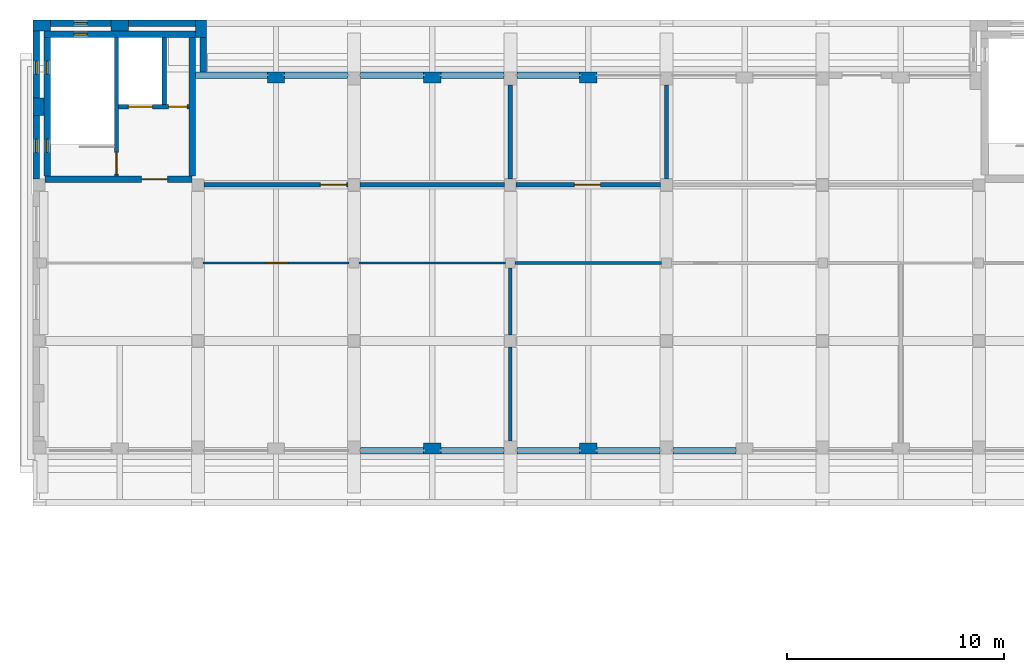
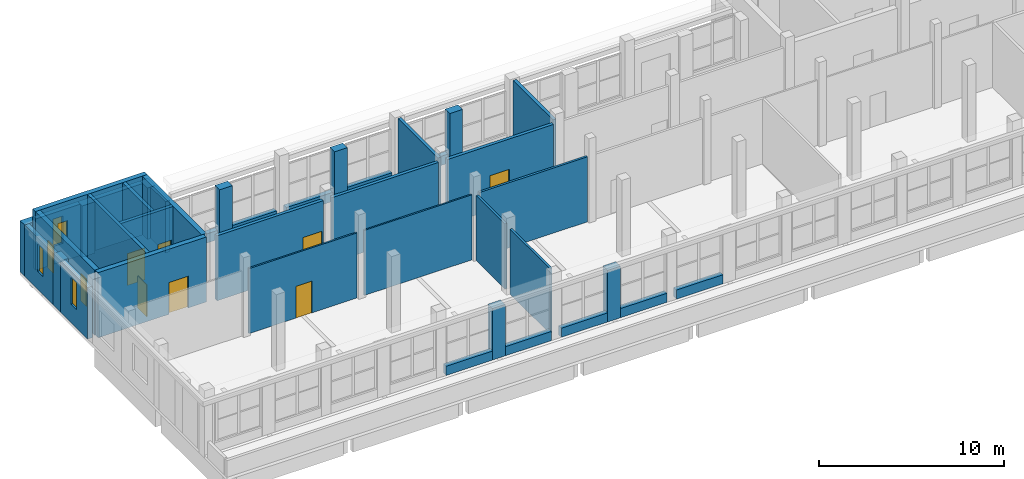
# One storey, part 17 of 30: 41 walls, 7 doors, 6 windows, 13 openings.
"""IFC4 building model written with IfcOpenShell, lengths in metres."""

from ifc_helpers import new_model, si_unit, direction, frame, frame_2d, origin, place, context, subcontext, project, spatial, rectangle, extrude, material, layer, layer_set, type_object, element, fill, save


model = new_model("IFC4")

# Units and contexts
model_context = context("Model", 3, precision=1e-05, world=origin(), true_north=direction((0.0, 1.0)))
body_context = subcontext(model_context, "Body", "Model", "MODEL_VIEW")
ifc_project = project(units=[si_unit("LENGTHUNIT", "METRE"), si_unit("AREAUNIT", "SQUARE_METRE"), si_unit("VOLUMEUNIT", "CUBIC_METRE"), si_unit("PLANEANGLEUNIT", "RADIAN"), si_unit("MASSUNIT", "GRAM", prefix="KILO")], contexts=[model_context])

# Site, building, storey
site_placement = place(None, origin())
site = spatial("IfcSite", under=ifc_project, at=site_placement, CompositionType="ELEMENT")
building_placement = place(site_placement, origin())
building = spatial("IfcBuilding", under=site, at=building_placement, Name="Ussher Court Research Institute", CompositionType="ELEMENT")
storey_placement = place(building_placement, frame((0.0, 0.0, 27.89990234375)))
storey = spatial("IfcBuildingStorey", under=building, at=storey_placement, Name="L06", CompositionType="ELEMENT", Elevation=27.89990234375)

# Walls
ifc_material_1 = material(Name="Blockwork with cream render", Category="masonry")
ifc_layer_1 = layer(ifc_material_1, 0.300048828125)
ifc_layer_set_1 = layer_set([ifc_layer_1], Name="Blockwork with cream render")
wall_type_1 = type_object("IfcWallType", Name="External wall 300 cream render", PredefinedType="SOLIDWALL", material=ifc_layer_set_1)
for number, where, z_axis, x_axis, name in (
    (1, (35.0, 70.949951171875, 0.0), (0.0, 0.0, 1.0), (-1.0, 0.0, 0.0), "Plinth wall EW1 L06"),
    (2, (31.5, 70.949951171875, 0.0), (0.0, 0.0, 1.0), (-1.0, 0.0, 0.0), "Plinth wall EW1 L06"),
):
    element("IfcWall", number, at=place(storey_placement, frame(where, z_axis=z_axis, x_axis=x_axis)), inside=storey, type_object=wall_type_1, Name=name, PredefinedType="SOLIDWALL", context=body_context, shape_type="SweptSolid", body=[
        extrude(rectangle(XDim=2.89990234375, YDim=0.300048828125, at=frame_2d((1.449951171875, 0.0))), origin(), (0.0, 0.0, 1.0), 0.60009765625),
    ])
for number, where, z_axis, x_axis, name in (
    (3, (27.800048828125, 70.949951171875, 0.0), (0.0, 0.0, 1.0), (-1.0, 0.0, 0.0), "Plinth wall EW1 L06"),
    (4, (24.300048828125, 70.949951171875, 0.0), (0.0, 0.0, 1.0), (-1.0, 0.0, 0.0), "Plinth wall EW1 L06"),
    (5, (20.60009765625, 70.949951171875, 0.0), (0.0, 0.0, 1.0), (-1.0, 0.0, 0.0), "Plinth wall EW1 L06"),
):
    element("IfcWall", number, at=place(storey_placement, frame(where, z_axis=z_axis, x_axis=x_axis)), inside=storey, type_object=wall_type_1, Name=name, PredefinedType="SOLIDWALL", context=body_context, shape_type="SweptSolid", body=[
        extrude(rectangle(XDim=2.900146484375, YDim=0.300048828125, at=frame_2d((1.4501953125, 0.0))), origin(), (0.0, 0.0, 1.0), 0.60009765625),
    ])
wall_1_placement = place(storey_placement, frame((10.10009765625, 88.25, 0.0), z_axis=(0.0, 0.0, 1.0), x_axis=(1.0, 0.0, 0.0)))
element("IfcWall", 6, at=wall_1_placement, inside=storey, type_object=wall_type_1, Name="Plinth wall EW1 L06", PredefinedType="SOLIDWALL", context=body_context, shape_type="SweptSolid", body=[
    extrude(rectangle(XDim=3.2998046875, YDim=0.300048828125, at=frame_2d((1.64990234375, 0.0))), origin(), (0.0, 0.0, 1.0), 0.60009765625),
])
for number, where, z_axis, x_axis, name in (
    (7, (14.199951171875, 88.25, 0.0), (0.0, 0.0, 1.0), (1.0, 0.0, 0.0), "Plinth wall EW1 L06"),
    (8, (17.699951171875, 88.25, 0.0), (0.0, 0.0, 1.0), (1.0, 0.0, 0.0), "Plinth wall EW1 L06"),
    (9, (21.39990234375, 88.25, 0.0), (0.0, 0.0, 1.0), (1.0, 0.0, 0.0), "Plinth wall EW1 L06"),
    (10, (24.89990234375, 88.25, 0.0), (0.0, 0.0, 1.0), (1.0, 0.0, 0.0), "Plinth wall EW1 L06"),
):
    element("IfcWall", number, at=place(storey_placement, frame(where, z_axis=z_axis, x_axis=x_axis)), inside=storey, type_object=wall_type_1, Name=name, PredefinedType="SOLIDWALL", context=body_context, shape_type="SweptSolid", body=[
        extrude(rectangle(XDim=2.900146484375, YDim=0.300048828125, at=frame_2d((1.4501953125, 0.0))), origin(), (0.0, 0.0, 1.0), 0.60009765625),
    ])

# Wall, opening, window
ifc_material_2 = material(Name="Limestone facing on blockwork", Category="masonry")
ifc_layer_2 = layer(ifc_material_2, 0.300048828125)
ifc_layer_set_2 = layer_set([ifc_layer_2], Name="Limestone facing on blockwork")
wall_type_2 = type_object("IfcWallType", Name="External wall 300 stair enclosure", PredefinedType="SOLIDWALL", material=ifc_layer_set_2)
wall_2_placement = place(storey_placement, frame((2.75, 83.47509765625, 0.0), z_axis=(0.0, 0.0, 1.0), x_axis=(0.0, 1.0, 0.0)))
wall_2 = element("IfcWall", 11, at=wall_2_placement, inside=storey, type_object=wall_type_2, Name="External wall EW5 L06", PredefinedType="SOLIDWALL", context=body_context, shape_type="SweptSolid", body=[
    extrude(rectangle(XDim=2.9248046875, YDim=0.300048828125, at=frame_2d((1.46240234375, 0.0))), origin(), (0.0, 0.0, 1.0), 3.400146484375),
])
opening_1_placement = place(wall_2_placement, frame((1.22509765625, 0.0, 1.199951171875)))
opening_1 = element("IfcOpeningElement", 12, at=opening_1_placement, cuts=wall_2, Name="Opening W25", PredefinedType="OPENING", context=body_context, shape_type="SweptSolid", body=[
    extrude(rectangle(XDim=0.60009765625, YDim=1.800048828125, at=frame_2d((0.300048828125, 0.89990234375))), frame((0.0, 0.16015625, 0.0), z_axis=(0.0, -1.0, 0.0), x_axis=(1.0, 0.0, 0.0)), (0.0, 0.0, 1.0), 0.320068359375),
])
ifc_material_3 = material(Name="Bronze anodised aluminium with double glazing", Category="aluminium")
window_type = type_object("IfcWindowType", Name="Stair light slot window 600x1800 fire-resisting glazing", PartitioningType="SINGLE_PANEL", PredefinedType="WINDOW", material=ifc_material_3)
window_1_placement = place(opening_1_placement, origin())
window_1 = element("IfcWindow", 13, at=window_1_placement, inside=storey, type_object=window_type, Name="Window W25 L06", OverallHeight=1.800048828125, OverallWidth=0.60009765625, PartitioningType="SINGLE_PANEL", PredefinedType="WINDOW", context=body_context, shape_type="SweptSolid", body=[
    extrude(rectangle(XDim=0.60009765625, YDim=1.800048828125, at=frame_2d((0.300048828125, 0.89990234375))), frame((0.0, 0.030029296875, 0.0), z_axis=(0.0, -1.0, 0.0), x_axis=(1.0, 0.0, 0.0)), (0.0, 0.0, 1.0), 0.06005859375),
])
fill(opening_1, window_1)

wall_3_placement = place(storey_placement, frame((2.75, 87.199951171875, 0.0), z_axis=(0.0, 0.0, 1.0), x_axis=(0.0, 1.0, 0.0)))
wall_3 = element("IfcWall", 14, at=wall_3_placement, inside=storey, type_object=wall_type_2, Name="External wall EW5 L06", PredefinedType="SOLIDWALL", context=body_context, shape_type="SweptSolid", body=[
    extrude(rectangle(XDim=3.10009765625, YDim=0.300048828125, at=frame_2d((1.550048828125, 0.0))), origin(), (0.0, 0.0, 1.0), 3.400146484375),
])
opening_2_placement = place(wall_3_placement, frame((1.10009765625, 0.0, 1.199951171875)))
opening_2 = element("IfcOpeningElement", 15, at=opening_2_placement, cuts=wall_3, Name="Opening W25", PredefinedType="OPENING", context=body_context, shape_type="SweptSolid", body=[
    extrude(rectangle(XDim=0.60009765625, YDim=1.800048828125, at=frame_2d((0.300048828125, 0.89990234375))), frame((0.0, 0.16015625, 0.0), z_axis=(0.0, -1.0, 0.0), x_axis=(1.0, 0.0, 0.0)), (0.0, 0.0, 1.0), 0.320068359375),
])
window_2_placement = place(opening_2_placement, origin())
window_2 = element("IfcWindow", 16, at=window_2_placement, inside=storey, type_object=window_type, Name="Window W25 L06", OverallHeight=1.800048828125, OverallWidth=0.60009765625, PartitioningType="SINGLE_PANEL", PredefinedType="WINDOW", context=body_context, shape_type="SweptSolid", body=[
    extrude(rectangle(XDim=0.60009765625, YDim=1.800048828125, at=frame_2d((0.300048828125, 0.89990234375))), frame((0.0, 0.030029296875, 0.0), z_axis=(0.0, -1.0, 0.0), x_axis=(1.0, 0.0, 0.0)), (0.0, 0.0, 1.0), 0.06005859375),
])
fill(opening_2, window_2)

wall_4_placement = place(storey_placement, frame((3.39990234375, 90.64990234375, 0.0), z_axis=(0.0, 0.0, 1.0), x_axis=(1.0, 0.0, 0.0)))
wall_4 = element("IfcWall", 17, at=wall_4_placement, inside=storey, type_object=wall_type_2, Name="External wall EW5 L06", PredefinedType="SOLIDWALL", context=body_context, shape_type="SweptSolid", body=[
    extrude(rectangle(XDim=2.800048828125, YDim=0.300048828125, at=frame_2d((1.39990234375, 0.0))), origin(), (0.0, 0.0, 1.0), 3.400146484375),
])
opening_3_placement = place(wall_4_placement, frame((1.10009765625, 0.0, 1.199951171875)))
opening_3 = element("IfcOpeningElement", 18, at=opening_3_placement, cuts=wall_4, Name="Opening W25", PredefinedType="OPENING", context=body_context, shape_type="SweptSolid", body=[
    extrude(rectangle(XDim=0.60009765625, YDim=1.800048828125, at=frame_2d((0.300048828125, 0.89990234375))), frame((0.0, 0.16015625, 0.0), z_axis=(0.0, -1.0, 0.0), x_axis=(1.0, 0.0, 0.0)), (0.0, 0.0, 1.0), 0.320068359375),
])
window_3_placement = place(opening_3_placement, origin())
window_3 = element("IfcWindow", 19, at=window_3_placement, inside=storey, type_object=window_type, Name="Window W25 L06", OverallHeight=1.800048828125, OverallWidth=0.60009765625, PartitioningType="SINGLE_PANEL", PredefinedType="WINDOW", context=body_context, shape_type="SweptSolid", body=[
    extrude(rectangle(XDim=0.60009765625, YDim=1.800048828125, at=frame_2d((0.300048828125, 0.89990234375))), frame((0.0, 0.030029296875, 0.0), z_axis=(0.0, -1.0, 0.0), x_axis=(1.0, 0.0, 0.0)), (0.0, 0.0, 1.0), 0.06005859375),
])
fill(opening_3, window_3)

# Walls
wall_5_placement = place(storey_placement, frame((7.0, 90.64990234375, 0.0), z_axis=(0.0, 0.0, 1.0), x_axis=(1.0, 0.0, 0.0)))
element("IfcWall", 20, at=wall_5_placement, inside=storey, type_object=wall_type_2, Name="External wall EW5 L06", PredefinedType="SOLIDWALL", context=body_context, shape_type="SweptSolid", body=[
    extrude(rectangle(XDim=3.10009765625, YDim=0.300048828125, at=frame_2d((1.550048828125, 0.0))), origin(), (0.0, 0.0, 1.0), 3.400146484375),
])
wall_6_placement = place(storey_placement, frame((10.449951171875, 90.0, 0.0), z_axis=(0.0, 0.0, 1.0), x_axis=(0.0, -1.0, 0.0)))
element("IfcWall", 21, at=wall_6_placement, inside=storey, type_object=wall_type_2, Name="External wall EW5 L06", PredefinedType="SOLIDWALL", context=body_context, shape_type="SweptSolid", body=[
    extrude(rectangle(XDim=1.60009765625, YDim=0.300048828125, at=frame_2d((0.800048828125, 0.0))), origin(), (0.0, 0.0, 1.0), 3.400146484375),
])
ifc_material_4 = material(Name="Plastered blockwork", Category="masonry")
ifc_layer_3 = layer(ifc_material_4, 0.139892578125)
ifc_layer_set_3 = layer_set([ifc_layer_3], Name="Plastered blockwork")
wall_type_3 = type_object("IfcWallType", Name="Laboratory blockwork partition 140", PredefinedType="PARTITIONING", material=ifc_layer_set_3)
wall_7_placement = place(storey_placement, frame((24.824951171875, 79.60009765625, 0.0), z_axis=(0.0, 0.0, 1.0), x_axis=(1.0, 0.0, 0.0)))
element("IfcWall", 22, at=wall_7_placement, inside=storey, type_object=wall_type_3, Name="Partition", PredefinedType="PARTITIONING", context=body_context, shape_type="SweptSolid", body=[
    extrude(rectangle(XDim=6.75, YDim=0.139892578125, at=frame_2d((3.375, 0.0))), origin(), (0.0, 0.0, 1.0), 4.300048828125),
])
wall_8_placement = place(storey_placement, frame((24.60009765625, 71.39990234375, 0.0), z_axis=(0.0, 0.0, 1.0), x_axis=(0.0, 1.0, 0.0)))
element("IfcWall", 23, at=wall_8_placement, inside=storey, type_object=wall_type_3, Name="Partition", PredefinedType="PARTITIONING", context=body_context, shape_type="SweptSolid", body=[
    extrude(rectangle(XDim=4.3251953125, YDim=0.139892578125, at=frame_2d((2.16259765625, 0.0))), origin(), (0.0, 0.0, 1.0), 4.300048828125),
])
wall_9_placement = place(storey_placement, frame((24.60009765625, 76.27490234375, 0.0), z_axis=(0.0, 0.0, 1.0), x_axis=(0.0, 1.0, 0.0)))
element("IfcWall", 24, at=wall_9_placement, inside=storey, type_object=wall_type_3, Name="Partition", PredefinedType="PARTITIONING", context=body_context, shape_type="SweptSolid", body=[
    extrude(rectangle(XDim=3.10009765625, YDim=0.139892578125, at=frame_2d((1.550048828125, 0.0))), origin(), (0.0, 0.0, 1.0), 4.300048828125),
])

# Wall, opening, door
ifc_material_5 = material(Name="Plastered blockwork", Category="masonry")
ifc_layer_4 = layer(ifc_material_5, 0.10009765625)
ifc_layer_set_4 = layer_set([ifc_layer_4], Name="Plastered blockwork")
wall_type_4 = type_object("IfcWallType", Name="Partition plastered blockwork 100", PredefinedType="PARTITIONING", material=ifc_layer_set_4)
wall_10_placement = place(storey_placement, frame((17.175048828125, 79.60009765625, 0.0), z_axis=(0.0, 0.0, 1.0), x_axis=(-1.0, 0.0, 0.0)))
wall_10 = element("IfcWall", 25, at=wall_10_placement, inside=storey, type_object=wall_type_4, Name="Partition", PredefinedType="PARTITIONING", context=body_context, shape_type="SweptSolid", body=[
    extrude(rectangle(XDim=6.75, YDim=0.10009765625, at=frame_2d((3.375, 0.0))), origin(), (0.0, 0.0, 1.0), 4.300048828125),
])
opening_4_placement = place(wall_10_placement, frame((2.824951171875, 0.0, 0.0)))
opening_4 = element("IfcOpeningElement", 26, at=opening_4_placement, cuts=wall_10, Name="Opening D06004", PredefinedType="OPENING", context=body_context, shape_type="SweptSolid", body=[
    extrude(rectangle(XDim=1.0, YDim=2.10009765625, at=frame_2d((0.5, 1.050048828125))), frame((0.0, 0.06005859375, 0.0), z_axis=(0.0, -1.0, 0.0), x_axis=(1.0, 0.0, 0.0)), (0.0, 0.0, 1.0), 0.1201171875),
])
ifc_material_6 = material(Name="Veneered timber door", Category="wood")
door_type_1 = type_object("IfcDoorType", Name="Office door 1000x2100", OperationType="NOTDEFINED", PredefinedType="DOOR", material=ifc_material_6)
door_1_placement = place(opening_4_placement, origin())
door_1 = element("IfcDoor", 27, at=door_1_placement, inside=storey, type_object=door_type_1, Name="Door D06004", OperationType="SINGLE_SWING_LEFT", OverallHeight=2.10009765625, OverallWidth=1.0, PredefinedType="DOOR", context=body_context, shape_type="SweptSolid", body=[
    extrude(rectangle(XDim=1.0, YDim=2.10009765625, at=frame_2d((0.5, 1.050048828125))), frame((0.0, 0.02490234375, 0.0), z_axis=(0.0, -1.0, 0.0), x_axis=(1.0, 0.0, 0.0)), (0.0, 0.0, 1.0), 0.050048828125),
])
fill(opening_4, door_1)

# Walls
wall_11_placement = place(storey_placement, frame((17.625, 79.60009765625, 0.0), z_axis=(0.0, 0.0, 1.0), x_axis=(1.0, 0.0, 0.0)))
element("IfcWall", 28, at=wall_11_placement, inside=storey, type_object=wall_type_4, Name="Partition", PredefinedType="PARTITIONING", context=body_context, shape_type="SweptSolid", body=[
    extrude(rectangle(XDim=6.75, YDim=0.10009765625, at=frame_2d((3.375, 0.0))), origin(), (0.0, 0.0, 1.0), 4.300048828125),
])
ifc_material_7 = material(Name="Blockwork with cream render", Category="masonry")
ifc_layer_5 = layer(ifc_material_7, 0.5)
ifc_layer_set_5 = layer_set([ifc_layer_5], Name="Blockwork with cream render")
wall_type_5 = type_object("IfcWallType", Name="Pier 800x500 cream render", PredefinedType="SOLIDWALL", material=ifc_layer_set_5)
wall_12_placement = place(storey_placement, frame((28.60009765625, 71.050048828125, 0.0), z_axis=(0.0, 0.0, 1.0), x_axis=(-1.0, 0.0, 0.0)))
element("IfcWall", 29, at=wall_12_placement, inside=storey, type_object=wall_type_5, Name="Pier PR1 L06", PredefinedType="SOLIDWALL", context=body_context, shape_type="SweptSolid", body=[
    extrude(rectangle(XDim=0.800048828125, YDim=0.5, at=frame_2d((0.39990234375, 0.0))), origin(), (0.0, 0.0, 1.0), 3.400146484375),
])
wall_13_placement = place(storey_placement, frame((21.39990234375, 71.050048828125, 0.0), z_axis=(0.0, 0.0, 1.0), x_axis=(-1.0, 0.0, 0.0)))
element("IfcWall", 30, at=wall_13_placement, inside=storey, type_object=wall_type_5, Name="Pier PR1 L06", PredefinedType="SOLIDWALL", context=body_context, shape_type="SweptSolid", body=[
    extrude(rectangle(XDim=0.7998046875, YDim=0.5, at=frame_2d((0.39990234375, 0.0))), origin(), (0.0, 0.0, 1.0), 3.400146484375),
])
wall_14_placement = place(storey_placement, frame((2.85009765625, 86.39990234375, 0.0), z_axis=(0.0, 0.0, 1.0), x_axis=(0.0, 1.0, 0.0)))
element("IfcWall", 31, at=wall_14_placement, inside=storey, type_object=wall_type_5, Name="Pier PR1 L06", PredefinedType="SOLIDWALL", context=body_context, shape_type="SweptSolid", body=[
    extrude(rectangle(XDim=0.800048828125, YDim=0.5, at=frame_2d((0.39990234375, 0.0))), origin(), (0.0, 0.0, 1.0), 3.400146484375),
])
wall_15_placement = place(storey_placement, frame((2.60009765625, 90.550048828125, 0.0), z_axis=(0.0, 0.0, 1.0), x_axis=(1.0, 0.0, 0.0)))
element("IfcWall", 32, at=wall_15_placement, inside=storey, type_object=wall_type_5, Name="Pier PR1 L06", PredefinedType="SOLIDWALL", context=body_context, shape_type="SweptSolid", body=[
    extrude(rectangle(XDim=0.7998046875, YDim=0.5, at=frame_2d((0.39990234375, 0.0))), origin(), (0.0, 0.0, 1.0), 3.400146484375),
])
for number, where, z_axis, x_axis, name in (
    (33, (6.199951171875, 90.550048828125, 0.0), (0.0, 0.0, 1.0), (1.0, 0.0, 0.0), "Pier PR1 L06"),
    (34, (10.35009765625, 90.800048828125, 0.0), (0.0, 0.0, 1.0), (0.0, -1.0, 0.0), "Pier PR1 L06"),
    (35, (13.39990234375, 88.14990234375, 0.0), (0.0, 0.0, 1.0), (1.0, 0.0, 0.0), "Pier PR1 L06"),
):
    element("IfcWall", number, at=place(storey_placement, frame(where, z_axis=z_axis, x_axis=x_axis)), inside=storey, type_object=wall_type_5, Name=name, PredefinedType="SOLIDWALL", context=body_context, shape_type="SweptSolid", body=[
        extrude(rectangle(XDim=0.800048828125, YDim=0.5, at=frame_2d((0.39990234375, 0.0))), origin(), (0.0, 0.0, 1.0), 3.400146484375),
    ])
wall_16_placement = place(storey_placement, frame((20.60009765625, 88.14990234375, 0.0), z_axis=(0.0, 0.0, 1.0), x_axis=(1.0, 0.0, 0.0)))
element("IfcWall", 36, at=wall_16_placement, inside=storey, type_object=wall_type_5, Name="Pier PR1 L06", PredefinedType="SOLIDWALL", context=body_context, shape_type="SweptSolid", body=[
    extrude(rectangle(XDim=0.7998046875, YDim=0.5, at=frame_2d((0.39990234375, 0.0))), origin(), (0.0, 0.0, 1.0), 3.400146484375),
])
wall_17_placement = place(storey_placement, frame((27.800048828125, 88.14990234375, 0.0), z_axis=(0.0, 0.0, 1.0), x_axis=(1.0, 0.0, 0.0)))
element("IfcWall", 37, at=wall_17_placement, inside=storey, type_object=wall_type_5, Name="Pier PR1 L06", PredefinedType="SOLIDWALL", context=body_context, shape_type="SweptSolid", body=[
    extrude(rectangle(XDim=0.800048828125, YDim=0.5, at=frame_2d((0.39990234375, 0.0))), origin(), (0.0, 0.0, 1.0), 3.400146484375),
])

# Wall, opening, door
ifc_material_8 = material(Name="Dense concrete blockwork", Category="masonry")
ifc_layer_6 = layer(ifc_material_8, 0.199951171875)
ifc_layer_set_6 = layer_set([ifc_layer_6], Name="Dense concrete blockwork")
wall_type_6 = type_object("IfcWallType", Name="Plant room dense block 200 EI 60", PredefinedType="PARTITIONING", material=ifc_layer_set_6)
wall_18_placement = place(storey_placement, frame((10.47509765625, 83.199951171875, 0.0), z_axis=(0.0, 0.0, 1.0), x_axis=(1.0, 0.0, 0.0)))
wall_18 = element("IfcWall", 38, at=wall_18_placement, inside=storey, type_object=wall_type_6, Name="Fire partition", PredefinedType="PARTITIONING", context=body_context, shape_type="SweptSolid", body=[
    extrude(rectangle(XDim=6.64990234375, YDim=0.199951171875, at=frame_2d((3.324951171875, 0.0))), origin(), (0.0, 0.0, 1.0), 4.300048828125),
])
opening_5_placement = place(wall_18_placement, frame((5.375, 0.0, 0.0)))
opening_5 = element("IfcOpeningElement", 39, at=opening_5_placement, cuts=wall_18, Name="Opening D06005", PredefinedType="OPENING", context=body_context, shape_type="SweptSolid", body=[
    extrude(rectangle(XDim=1.199951171875, YDim=2.300048828125, at=frame_2d((0.60009765625, 1.14990234375))), frame((0.0, 0.10986328125, 0.0), z_axis=(0.0, -1.0, 0.0), x_axis=(1.0, 0.0, 0.0)), (0.0, 0.0, 1.0), 0.219970703125),
])
ifc_material_9 = material(Name="Painted steel faced fire door", Category="steel")
door_type_2 = type_object("IfcDoorType", Name="Plant room door 1200x2300 FD60", OperationType="NOTDEFINED", PredefinedType="DOOR", material=ifc_material_9)
door_2_placement = place(opening_5_placement, origin())
door_2 = element("IfcDoor", 40, at=door_2_placement, inside=storey, type_object=door_type_2, Name="Door D06005", OperationType="SINGLE_SWING_RIGHT", OverallHeight=2.300048828125, OverallWidth=1.199951171875, PredefinedType="DOOR", context=body_context, shape_type="SweptSolid", body=[
    extrude(rectangle(XDim=1.199951171875, YDim=2.300048828125, at=frame_2d((0.60009765625, 1.14990234375))), frame((0.0, 0.02490234375, 0.0), z_axis=(0.0, -1.0, 0.0), x_axis=(1.0, 0.0, 0.0)), (0.0, 0.0, 1.0), 0.050048828125),
])
fill(opening_5, door_2)

# Wall
wall_19_placement = place(storey_placement, frame((17.675048828125, 83.199951171875, 0.0), z_axis=(0.0, 0.0, 1.0), x_axis=(1.0, 0.0, 0.0)))
element("IfcWall", 41, at=wall_19_placement, inside=storey, type_object=wall_type_6, Name="Fire partition", PredefinedType="PARTITIONING", context=body_context, shape_type="SweptSolid", body=[
    extrude(rectangle(XDim=6.64990234375, YDim=0.199951171875, at=frame_2d((3.324951171875, 0.0))), origin(), (0.0, 0.0, 1.0), 4.300048828125),
])

# Wall, opening, door
wall_20_placement = place(storey_placement, frame((24.875, 83.199951171875, 0.0), z_axis=(0.0, 0.0, 1.0), x_axis=(1.0, 0.0, 0.0)))
wall_20 = element("IfcWall", 42, at=wall_20_placement, inside=storey, type_object=wall_type_6, Name="Fire partition", PredefinedType="PARTITIONING", context=body_context, shape_type="SweptSolid", body=[
    extrude(rectangle(XDim=6.64990234375, YDim=0.199951171875, at=frame_2d((3.324951171875, 0.0))), origin(), (0.0, 0.0, 1.0), 4.300048828125),
])
opening_6_placement = place(wall_20_placement, frame((2.675048828125, 0.0, 0.0)))
opening_6 = element("IfcOpeningElement", 43, at=opening_6_placement, cuts=wall_20, Name="Opening D06006", PredefinedType="OPENING", context=body_context, shape_type="SweptSolid", body=[
    extrude(rectangle(XDim=1.199951171875, YDim=2.300048828125, at=frame_2d((0.60009765625, 1.14990234375))), frame((0.0, 0.10986328125, 0.0), z_axis=(0.0, -1.0, 0.0), x_axis=(1.0, 0.0, 0.0)), (0.0, 0.0, 1.0), 0.219970703125),
])
door_3_placement = place(opening_6_placement, origin())
door_3 = element("IfcDoor", 44, at=door_3_placement, inside=storey, type_object=door_type_2, Name="Door D06006", OperationType="SINGLE_SWING_LEFT", OverallHeight=2.300048828125, OverallWidth=1.199951171875, PredefinedType="DOOR", context=body_context, shape_type="SweptSolid", body=[
    extrude(rectangle(XDim=1.199951171875, YDim=2.300048828125, at=frame_2d((0.60009765625, 1.14990234375))), frame((0.0, 0.02490234375, 0.0), z_axis=(0.0, -1.0, 0.0), x_axis=(1.0, 0.0, 0.0)), (0.0, 0.0, 1.0), 0.050048828125),
])
fill(opening_6, door_3)

# Walls
for number, where, z_axis, x_axis, name in (
    (45, (24.60009765625, 83.47509765625, 0.0), (0.0, 0.0, 1.0), (0.0, 1.0, 0.0), "Fire partition"),
    (46, (31.800048828125, 83.47509765625, 0.0), (0.0, 0.0, 1.0), (0.0, 1.0, 0.0), "Fire partition"),
):
    element("IfcWall", number, at=place(storey_placement, frame(where, z_axis=z_axis, x_axis=x_axis)), inside=storey, type_object=wall_type_6, Name=name, PredefinedType="PARTITIONING", context=body_context, shape_type="SweptSolid", body=[
        extrude(rectangle(XDim=4.324951171875, YDim=0.199951171875, at=frame_2d((2.16259765625, 0.0))), origin(), (0.0, 0.0, 1.0), 4.300048828125),
    ])

# Wall, opening, door
ifc_material_10 = material(Name="Concrete C35/45", Category="concrete")
ifc_layer_7 = layer(ifc_material_10, 0.199951171875)
ifc_layer_set_7 = layer_set([ifc_layer_7], Name="Concrete C35/45")
wall_type_7 = type_object("IfcWallType", Name="RC core wall 200", PredefinedType="SHEAR", material=ifc_layer_set_7)
wall_21_placement = place(storey_placement, frame((6.449951171875, 83.60009765625, 0.0), z_axis=(0.0, 0.0, 1.0), x_axis=(0.0, 1.0, 0.0)))
wall_21 = element("IfcWall", 47, at=wall_21_placement, inside=storey, type_object=wall_type_7, Name="Core wall D1", PredefinedType="SHEAR", context=body_context, shape_type="SweptSolid", body=[
    extrude(rectangle(XDim=6.39990234375, YDim=0.199951171875, at=frame_2d((3.199951171875, 0.0))), origin(), (0.0, 0.0, 1.0), 4.300048828125),
])
opening_7_placement = place(wall_21_placement, frame((0.10009765625, 0.0, 0.0)))
opening_7 = element("IfcOpeningElement", 48, at=opening_7_placement, cuts=wall_21, Name="Opening D06001", PredefinedType="OPENING", context=body_context, shape_type="SweptSolid", body=[
    extrude(rectangle(XDim=1.0, YDim=2.10009765625, at=frame_2d((0.5, 1.050048828125))), frame((0.0, 0.10986328125, 0.0), z_axis=(0.0, -1.0, 0.0), x_axis=(1.0, 0.0, 0.0)), (0.0, 0.0, 1.0), 0.219970703125),
])
ifc_material_11 = material(Name="Painted steel faced fire door", Category="steel")
door_type_3 = type_object("IfcDoorType", Name="Fire door 1000x2100 FD60", OperationType="NOTDEFINED", PredefinedType="DOOR", material=ifc_material_11)
door_4_placement = place(opening_7_placement, origin())
door_4 = element("IfcDoor", 49, at=door_4_placement, inside=storey, type_object=door_type_3, Name="Door D06001", OperationType="SINGLE_SWING_LEFT", OverallHeight=2.10009765625, OverallWidth=1.0, PredefinedType="DOOR", context=body_context, shape_type="SweptSolid", body=[
    extrude(rectangle(XDim=1.0, YDim=2.10009765625, at=frame_2d((0.5, 1.050048828125))), frame((0.0, 0.02490234375, 0.0), z_axis=(0.0, -1.0, 0.0), x_axis=(1.0, 0.0, 0.0)), (0.0, 0.0, 1.0), 0.050048828125),
])
fill(opening_7, door_4)

# Wall, openings, doors
wall_22_placement = place(storey_placement, frame((9.800048828125, 86.800048828125, 0.0), z_axis=(0.0, 0.0, 1.0), x_axis=(-1.0, 0.0, 0.0)))
wall_22 = element("IfcWall", 50, at=wall_22_placement, inside=storey, type_object=wall_type_7, Name="Core wall D1", PredefinedType="SHEAR", context=body_context, shape_type="SweptSolid", body=[
    extrude(rectangle(XDim=3.25, YDim=0.199951171875, at=frame_2d((1.625, 0.0))), origin(), (0.0, 0.0, 1.0), 4.300048828125),
])
opening_8_placement = place(wall_22_placement, frame((1.699951171875, 0.0, 0.0)))
opening_8 = element("IfcOpeningElement", 51, at=opening_8_placement, cuts=wall_22, Name="Opening LD64", PredefinedType="OPENING", context=body_context, shape_type="SweptSolid", body=[
    extrude(rectangle(XDim=1.10009765625, YDim=2.10009765625, at=frame_2d((0.550048828125, 1.050048828125))), frame((0.0, 0.10986328125, 0.0), z_axis=(0.0, -1.0, 0.0), x_axis=(1.0, 0.0, 0.0)), (0.0, 0.0, 1.0), 0.219970703125),
])
opening_9_placement = place(wall_22_placement, frame((0.10009765625, 0.0, 0.0)))
opening_9 = element("IfcOpeningElement", 52, at=opening_9_placement, cuts=wall_22, Name="Opening D06003", PredefinedType="OPENING", context=body_context, shape_type="SweptSolid", body=[
    extrude(rectangle(XDim=0.85009765625, YDim=2.10009765625, at=frame_2d((0.425048828125, 1.050048828125))), frame((0.0, 0.10986328125, 0.0), z_axis=(0.0, -1.0, 0.0), x_axis=(1.0, 0.0, 0.0)), (0.0, 0.0, 1.0), 0.219970703125),
])
ifc_material_12 = material(Name="Painted steel faced fire door", Category="steel")
door_type_4 = type_object("IfcDoorType", Name="Fire door 850x2100 FD60", OperationType="NOTDEFINED", PredefinedType="DOOR", material=ifc_material_12)
door_5_placement = place(opening_9_placement, origin())
door_5 = element("IfcDoor", 53, at=door_5_placement, inside=storey, type_object=door_type_4, Name="Door D06003", OperationType="SINGLE_SWING_LEFT", OverallHeight=2.10009765625, OverallWidth=0.85009765625, PredefinedType="DOOR", context=body_context, shape_type="SweptSolid", body=[
    extrude(rectangle(XDim=0.85009765625, YDim=2.10009765625, at=frame_2d((0.425048828125, 1.050048828125))), frame((0.0, 0.02490234375, 0.0), z_axis=(0.0, -1.0, 0.0), x_axis=(1.0, 0.0, 0.0)), (0.0, 0.0, 1.0), 0.050048828125),
])
fill(opening_9, door_5)
ifc_material_13 = material(Name="Stainless steel lift door", Category="steel")
door_type_5 = type_object("IfcDoorType", Name="Lift landing door 1100x2100 sliding", OperationType="DOUBLE_DOOR_SLIDING", PredefinedType="DOOR", material=ifc_material_13)
door_6_placement = place(opening_8_placement, origin())
door_6 = element("IfcDoor", 54, at=door_6_placement, inside=storey, type_object=door_type_5, Name="Landing door D1-1 L06", OperationType="DOUBLE_DOOR_SLIDING", OverallHeight=2.10009765625, OverallWidth=1.10009765625, PredefinedType="DOOR", context=body_context, shape_type="SweptSolid", body=[
    extrude(rectangle(XDim=1.10009765625, YDim=2.10009765625, at=frame_2d((0.550048828125, 1.050048828125))), frame((0.0, 0.02490234375, 0.0), z_axis=(0.0, -1.0, 0.0), x_axis=(1.0, 0.0, 0.0)), (0.0, 0.0, 1.0), 0.050048828125),
])
fill(opening_8, door_6)

# Wall
wall_23_placement = place(storey_placement, frame((8.64990234375, 86.89990234375, 0.0), z_axis=(0.0, 0.0, 1.0), x_axis=(0.0, 1.0, 0.0)))
element("IfcWall", 55, at=wall_23_placement, inside=storey, type_object=wall_type_7, Name="Core wall D1", PredefinedType="SHEAR", context=body_context, shape_type="SweptSolid", body=[
    extrude(rectangle(XDim=3.10009765625, YDim=0.199951171875, at=frame_2d((1.550048828125, 0.0))), origin(), (0.0, 0.0, 1.0), 4.300048828125),
])

# Wall, opening, door
ifc_material_14 = material(Name="Concrete C35/45", Category="concrete")
ifc_layer_8 = layer(ifc_material_14, 0.300048828125)
ifc_layer_set_8 = layer_set([ifc_layer_8], Name="Concrete C35/45")
wall_type_8 = type_object("IfcWallType", Name="RC core wall 300", PredefinedType="SHEAR", material=ifc_layer_set_8)
wall_24_placement = place(storey_placement, frame((3.14990234375, 83.449951171875, 0.0), z_axis=(0.0, 0.0, 1.0), x_axis=(1.0, 0.0, 0.0)))
wall_24 = element("IfcWall", 56, at=wall_24_placement, inside=storey, type_object=wall_type_8, Name="Core wall D1", PredefinedType="SHEAR", context=body_context, shape_type="SweptSolid", body=[
    extrude(rectangle(XDim=6.775146484375, YDim=0.300048828125, at=frame_2d((3.3876953125, 0.0))), origin(), (0.0, 0.0, 1.0), 4.300048828125),
])
opening_10_placement = place(wall_24_placement, frame((4.449951171875, 0.0, 0.0)))
opening_10 = element("IfcOpeningElement", 57, at=opening_10_placement, cuts=wall_24, Name="Opening D06002", PredefinedType="OPENING", context=body_context, shape_type="SweptSolid", body=[
    extrude(rectangle(XDim=1.199951171875, YDim=2.10009765625, at=frame_2d((0.60009765625, 1.050048828125))), frame((0.0, 0.16015625, 0.0), z_axis=(0.0, -1.0, 0.0), x_axis=(1.0, 0.0, 0.0)), (0.0, 0.0, 1.0), 0.320068359375),
])
ifc_material_15 = material(Name="Painted steel faced fire door", Category="steel")
door_type_6 = type_object("IfcDoorType", Name="Fire door 1200x2100 FD60", OperationType="NOTDEFINED", PredefinedType="DOOR", material=ifc_material_15)
door_7_placement = place(opening_10_placement, origin())
door_7 = element("IfcDoor", 58, at=door_7_placement, inside=storey, type_object=door_type_6, Name="Door D06002", OperationType="SINGLE_SWING_RIGHT", OverallHeight=2.10009765625, OverallWidth=1.199951171875, PredefinedType="DOOR", context=body_context, shape_type="SweptSolid", body=[
    extrude(rectangle(XDim=1.199951171875, YDim=2.10009765625, at=frame_2d((0.60009765625, 1.050048828125))), frame((0.0, 0.02490234375, 0.0), z_axis=(0.0, -1.0, 0.0), x_axis=(1.0, 0.0, 0.0)), (0.0, 0.0, 1.0), 0.050048828125),
])
fill(opening_10, door_7)

# Wall, opening, window
wall_25_placement = place(storey_placement, frame((3.10009765625, 90.14990234375, 0.0), z_axis=(0.0, 0.0, 1.0), x_axis=(1.0, 0.0, 0.0)))
wall_25 = element("IfcWall", 59, at=wall_25_placement, inside=storey, type_object=wall_type_8, Name="Core wall D1", PredefinedType="SHEAR", context=body_context, shape_type="SweptSolid", body=[
    extrude(rectangle(XDim=7.0, YDim=0.300048828125, at=frame_2d((3.5, 0.0))), origin(), (0.0, 0.0, 1.0), 4.300048828125),
])
opening_11_placement = place(wall_25_placement, frame((1.39990234375, 0.0, 1.199951171875)))
opening_11 = element("IfcOpeningElement", 60, at=opening_11_placement, cuts=wall_25, Name="Opening W25", PredefinedType="OPENING", context=body_context, shape_type="SweptSolid", body=[
    extrude(rectangle(XDim=0.60009765625, YDim=1.800048828125, at=frame_2d((0.300048828125, 0.89990234375))), frame((0.0, 0.16015625, 0.0), z_axis=(0.0, -1.0, 0.0), x_axis=(1.0, 0.0, 0.0)), (0.0, 0.0, 1.0), 0.320068359375),
])
window_4_placement = place(opening_11_placement, origin())
window_4 = element("IfcWindow", 61, at=window_4_placement, inside=storey, type_object=window_type, Name="Window stair light D1 L06", OverallHeight=1.800048828125, OverallWidth=0.60009765625, PartitioningType="SINGLE_PANEL", PredefinedType="WINDOW", context=body_context, shape_type="SweptSolid", body=[
    extrude(rectangle(XDim=0.60009765625, YDim=1.800048828125, at=frame_2d((0.300048828125, 0.89990234375))), frame((0.0, 0.030029296875, 0.0), z_axis=(0.0, -1.0, 0.0), x_axis=(1.0, 0.0, 0.0)), (0.0, 0.0, 1.0), 0.06005859375),
])
fill(opening_11, window_4)

# Wall, openings, windows
wall_26_placement = place(storey_placement, frame((3.25, 83.60009765625, 0.0), z_axis=(0.0, 0.0, 1.0), x_axis=(0.0, 1.0, 0.0)))
wall_26 = element("IfcWall", 62, at=wall_26_placement, inside=storey, type_object=wall_type_8, Name="Core wall D1", PredefinedType="SHEAR", context=body_context, shape_type="SweptSolid", body=[
    extrude(rectangle(XDim=6.39990234375, YDim=0.300048828125, at=frame_2d((3.199951171875, 0.0))), origin(), (0.0, 0.0, 1.0), 4.300048828125),
])
opening_12_placement = place(wall_26_placement, frame((1.10009765625, 0.0, 1.199951171875)))
opening_12 = element("IfcOpeningElement", 63, at=opening_12_placement, cuts=wall_26, Name="Opening W25", PredefinedType="OPENING", context=body_context, shape_type="SweptSolid", body=[
    extrude(rectangle(XDim=0.60009765625, YDim=1.800048828125, at=frame_2d((0.300048828125, 0.89990234375))), frame((0.0, 0.16015625, 0.0), z_axis=(0.0, -1.0, 0.0), x_axis=(1.0, 0.0, 0.0)), (0.0, 0.0, 1.0), 0.320068359375),
])
opening_13_placement = place(wall_26_placement, frame((4.699951171875, 0.0, 1.199951171875)))
opening_13 = element("IfcOpeningElement", 64, at=opening_13_placement, cuts=wall_26, Name="Opening W25", PredefinedType="OPENING", context=body_context, shape_type="SweptSolid", body=[
    extrude(rectangle(XDim=0.60009765625, YDim=1.800048828125, at=frame_2d((0.300048828125, 0.89990234375))), frame((0.0, 0.16015625, 0.0), z_axis=(0.0, -1.0, 0.0), x_axis=(1.0, 0.0, 0.0)), (0.0, 0.0, 1.0), 0.320068359375),
])
window_5_placement = place(opening_12_placement, origin())
window_5 = element("IfcWindow", 65, at=window_5_placement, inside=storey, type_object=window_type, Name="Window stair light D1 L06", OverallHeight=1.800048828125, OverallWidth=0.60009765625, PartitioningType="SINGLE_PANEL", PredefinedType="WINDOW", context=body_context, shape_type="SweptSolid", body=[
    extrude(rectangle(XDim=0.60009765625, YDim=1.800048828125, at=frame_2d((0.300048828125, 0.89990234375))), frame((0.0, 0.030029296875, 0.0), z_axis=(0.0, -1.0, 0.0), x_axis=(1.0, 0.0, 0.0)), (0.0, 0.0, 1.0), 0.06005859375),
])
fill(opening_12, window_5)
window_6_placement = place(opening_13_placement, origin())
window_6 = element("IfcWindow", 66, at=window_6_placement, inside=storey, type_object=window_type, Name="Window stair light D1 L06", OverallHeight=1.800048828125, OverallWidth=0.60009765625, PartitioningType="SINGLE_PANEL", PredefinedType="WINDOW", context=body_context, shape_type="SweptSolid", body=[
    extrude(rectangle(XDim=0.60009765625, YDim=1.800048828125, at=frame_2d((0.300048828125, 0.89990234375))), frame((0.0, 0.030029296875, 0.0), z_axis=(0.0, -1.0, 0.0), x_axis=(1.0, 0.0, 0.0)), (0.0, 0.0, 1.0), 0.06005859375),
])
fill(opening_13, window_6)

# Wall
wall_27_placement = place(storey_placement, frame((9.949951171875, 83.60009765625, 0.0), z_axis=(0.0, 0.0, 1.0), x_axis=(0.0, 1.0, 0.0)))
element("IfcWall", 67, at=wall_27_placement, inside=storey, type_object=wall_type_8, Name="Core wall D1", PredefinedType="SHEAR", context=body_context, shape_type="SweptSolid", body=[
    extrude(rectangle(XDim=6.39990234375, YDim=0.300048828125, at=frame_2d((3.199951171875, 0.0))), origin(), (0.0, 0.0, 1.0), 4.300048828125),
])

save(model, "model.ifc")
